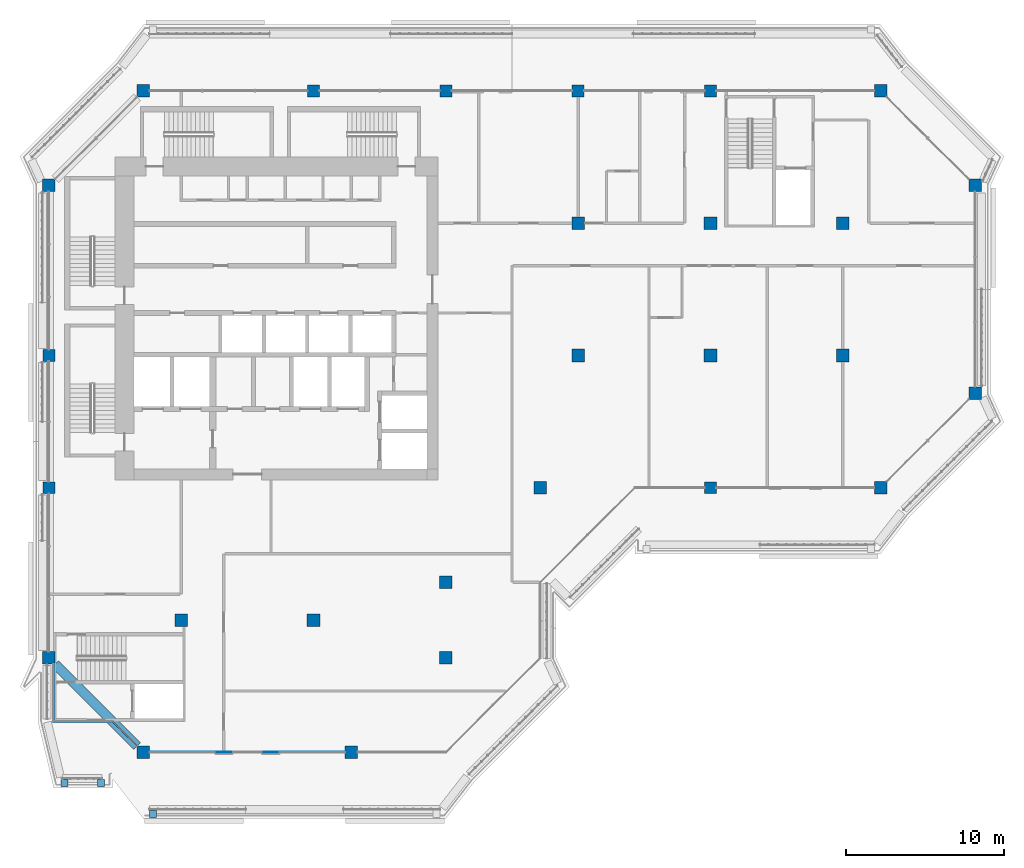
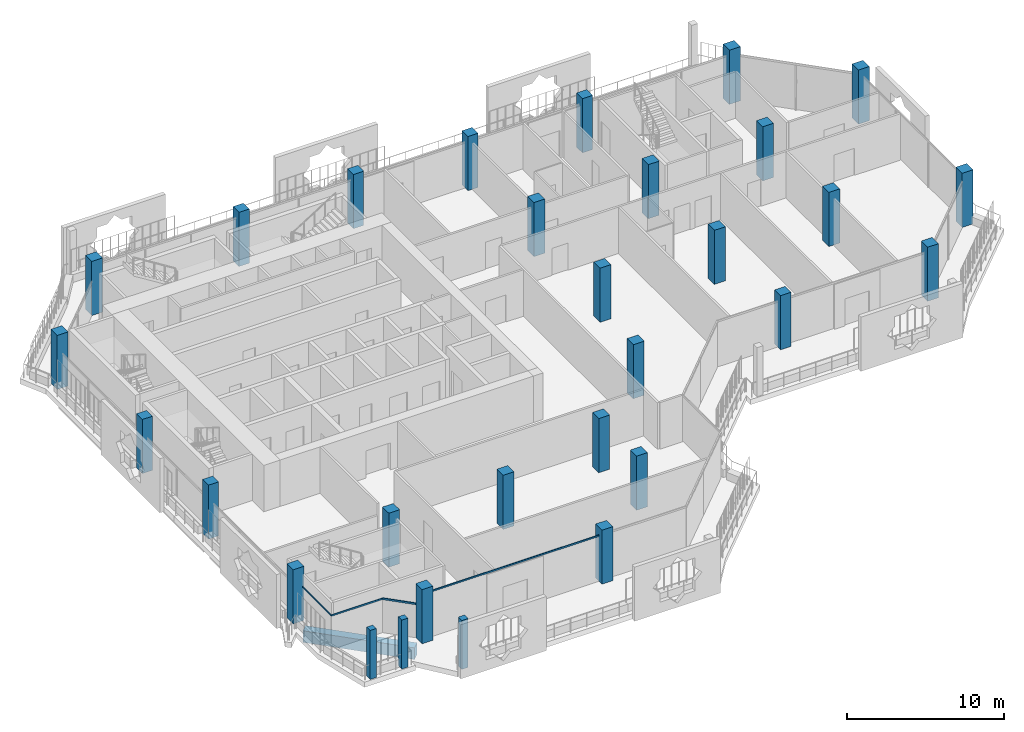
# One storey, part 1 of 21: 27 columns, 7 members, 1 beam, 5 elements without a shape of their own.
"""IFC4 building model written with IfcOpenShell, lengths in metres."""

from ifc_helpers import new_model, si_unit, direction, frame, origin, origin_2d, place, context, subcontext, project, spatial, rectangle, extrude, material, layer, layer_set, material_profile, profile_set, type_object, element, aggregate, save


model = new_model("IFC4")

# Units and contexts
model_context = context("Model", 3, precision=1e-05, world=origin(), true_north=direction((0.0, 1.0)))
body_context = subcontext(model_context, "Body", "Model", "MODEL_VIEW")
ifc_project = project(units=[si_unit("LENGTHUNIT", "METRE"), si_unit("AREAUNIT", "SQUARE_METRE"), si_unit("VOLUMEUNIT", "CUBIC_METRE"), si_unit("PLANEANGLEUNIT", "RADIAN"), si_unit("MASSUNIT", "GRAM", prefix="KILO")], contexts=[model_context])

# Site, building, storey
site_placement = place(None, origin())
site = spatial("IfcSite", under=ifc_project, at=site_placement, CompositionType="ELEMENT")
building_placement = place(site_placement, origin())
building = spatial("IfcBuilding", under=site, at=building_placement, Name="Kawkab Arch Medical Tower", CompositionType="ELEMENT")
storey_placement = place(building_placement, frame((0.0, 0.0, 323.800048828125)))
storey = spatial("IfcBuildingStorey", under=building, at=storey_placement, Name="L75", CompositionType="ELEMENT", Elevation=323.800048828125)

# Columns
ifc_material_1 = material(Name="Concrete C40/50", Category="concrete")
ifc_material_profile_1 = material_profile(ifc_material_1, rectangle(XDim=0.75, YDim=0.75, at=origin_2d()), Name="RC 750x750")
ifc_profile_set_1 = profile_set([ifc_material_profile_1], Name="Concrete C40/50")
column_type_1 = type_object("IfcColumnType", Name="RC 750x750 column C40/50", PredefinedType="COLUMN", material=ifc_profile_set_1)
for number, where, z_axis, x_axis, name in (
    (1, (16.800048828125, 0.0, 0.0), (0.0, 0.0, 1.0), (1.0, 0.0, 0.0), "Column RC 750x750"),
    (2, (25.199951171875, 0.0, 0.0), (0.0, 0.0, 1.0), (1.0, 0.0, 0.0), "Column RC 750x750"),
    (3, (33.60009765625, 0.0, 0.0), (0.0, 0.0, 1.0), (1.0, 0.0, 0.0), "Column RC 750x750"),
    (4, (42.0, 0.0, 0.0), (0.0, 0.0, 1.0), (1.0, 0.0, 0.0), "Column RC 750x750"),
    (5, (0.0, -16.800048828125, 0.0), (0.0, 0.0, 1.0), (1.0, 0.0, 0.0), "Column RC 750x750"),
    (6, (0.0, -25.199951171875, 0.0), (0.0, 0.0, 1.0), (1.0, 0.0, 0.0), "Column RC 750x750"),
    (7, (42.0, -25.199951171875, 0.0), (0.0, 0.0, 1.0), (1.0, 0.0, 0.0), "Column RC 750x750"),
):
    element("IfcColumn", number, at=place(storey_placement, frame(where, z_axis=z_axis, x_axis=x_axis)), inside=storey, type_object=column_type_1, Name=name, PredefinedType="COLUMN", context=body_context, shape_type="SweptSolid", body=[
        extrude(rectangle(XDim=0.75, YDim=0.75, at=origin_2d()), origin(), (0.0, 0.0, 1.0), 4.199951171875),
    ])
ifc_material_2 = material(Name="Concrete C40/50", Category="concrete")
ifc_material_profile_2 = material_profile(ifc_material_2, rectangle(XDim=0.800048828125, YDim=0.800048828125, at=origin_2d()), Name="RC 800x800")
ifc_profile_set_2 = profile_set([ifc_material_profile_2], Name="Concrete C40/50")
column_type_2 = type_object("IfcColumnType", Name="RC 800x800 column C40/50", PredefinedType="COLUMN", material=ifc_profile_set_2)
for number, where, z_axis, x_axis, name in (
    (8, (6.0, 0.0, 0.0), (0.0, 0.0, 1.0), (1.0, 0.0, 0.0), "Column RC 800x800"),
    (9, (52.800048828125, 0.0, 0.0), (0.0, 0.0, 1.0), (1.0, 0.0, 0.0), "Column RC 800x800"),
    (10, (0.0, -6.0, 0.0), (0.0, 0.0, 1.0), (1.0, 0.0, 0.0), "Column RC 800x800"),
    (11, (58.800048828125, -6.0, 0.0), (0.0, 0.0, 1.0), (1.0, 0.0, 0.0), "Column RC 800x800"),
    (12, (33.60009765625, -8.39990234375, 0.0), (0.0, 0.0, 1.0), (1.0, 0.0, 0.0), "Column RC 800x800"),
    (13, (42.0, -8.39990234375, 0.0), (0.0, 0.0, 1.0), (1.0, 0.0, 0.0), "Column RC 800x800"),
    (14, (50.39990234375, -8.39990234375, 0.0), (0.0, 0.0, 1.0), (1.0, 0.0, 0.0), "Column RC 800x800"),
    (15, (33.60009765625, -16.800048828125, 0.0), (0.0, 0.0, 1.0), (1.0, 0.0, 0.0), "Column RC 800x800"),
    (16, (42.0, -16.800048828125, 0.0), (0.0, 0.0, 1.0), (1.0, 0.0, 0.0), "Column RC 800x800"),
    (17, (50.39990234375, -16.800048828125, 0.0), (0.0, 0.0, 1.0), (1.0, 0.0, 0.0), "Column RC 800x800"),
    (18, (58.800048828125, -19.199951171875, 0.0), (0.0, 0.0, 1.0), (1.0, 0.0, 0.0), "Column RC 800x800"),
    (19, (31.199951171875, -25.199951171875, 0.0), (0.0, 0.0, 1.0), (1.0, 0.0, 0.0), "Column RC 800x800"),
    (20, (52.800048828125, -25.199951171875, 0.0), (0.0, 0.0, 1.0), (1.0, 0.0, 0.0), "Column RC 800x800"),
    (21, (25.199951171875, -31.199951171875, 0.0), (0.0, 0.0, 1.0), (1.0, 0.0, 0.0), "Column RC 800x800"),
    (22, (8.39990234375, -33.60009765625, 0.0), (0.0, 0.0, 1.0), (1.0, 0.0, 0.0), "Column RC 800x800"),
    (23, (16.800048828125, -33.60009765625, 0.0), (0.0, 0.0, 1.0), (1.0, 0.0, 0.0), "Column RC 800x800"),
    (24, (0.0, -36.0, 0.0), (0.0, 0.0, 1.0), (1.0, 0.0, 0.0), "Column RC 800x800"),
    (25, (25.199951171875, -36.0, 0.0), (0.0, 0.0, 1.0), (1.0, 0.0, 0.0), "Column RC 800x800"),
    (26, (6.0, -42.0, 0.0), (0.0, 0.0, 1.0), (1.0, 0.0, 0.0), "Column RC 800x800"),
    (27, (19.199951171875, -42.0, 0.0), (0.0, 0.0, 1.0), (1.0, 0.0, 0.0), "Column RC 800x800"),
):
    element("IfcColumn", number, at=place(storey_placement, frame(where, z_axis=z_axis, x_axis=x_axis)), inside=storey, type_object=column_type_2, Name=name, PredefinedType="COLUMN", context=body_context, shape_type="SweptSolid", body=[
        extrude(rectangle(XDim=0.800048828125, YDim=0.800048828125, at=origin_2d()), origin(), (0.0, 0.0, 1.0), 4.199951171875),
    ])

# Curtain wall, member
ifc_material_3 = material(Name="Bronze anodised aluminium curtain wall frame", Category="aluminium")
ifc_layer_1 = layer(ifc_material_3, 0.159912109375)
ifc_layer_set_1 = layer_set([ifc_layer_1], Name="Bronze anodised aluminium curtain wall frame")
curtain_wall_type_1 = type_object("IfcCurtainWallType", Name="CW1 ward curtain wall", PredefinedType="NOTDEFINED", material=ifc_layer_set_1)
placement = place(storey_placement, origin())
curtain_wall_1 = element("IfcCurtainWall", 28, at=placement, inside=storey, type_object=curtain_wall_type_1, Name="CW1 Ward curtain wall R04", PredefinedType="NOTDEFINED")
ifc_material_4 = material(Name="Bronze anodised aluminium curtain wall frame", Category="aluminium")
ifc_material_profile_3 = material_profile(ifc_material_4, rectangle(XDim=0.06005859375, YDim=0.1201171875, at=origin_2d()), Name="AL 60x120")
ifc_profile_set_3 = profile_set([ifc_material_profile_3], Name="Bronze anodised aluminium curtain wall frame")
member_type_1 = type_object("IfcMemberType", Name="CW1 transom 120 x 60", PredefinedType="USERDEFINED", material=ifc_profile_set_3)
member_1_placement = place(storey_placement, frame((0.300048828125, -36.39990234375, 2.639892578125), z_axis=(0.0, -1.0, 0.0), x_axis=(1.0, 0.0, 0.0)))
member_1 = element("IfcMember", 29, at=member_1_placement, type_object=member_type_1, Name="CW1 transom 1", ObjectType="TRANSOM", PredefinedType="USERDEFINED", context=body_context, shape_type="SweptSolid", body=[
    extrude(rectangle(XDim=0.06005859375, YDim=0.1201171875, at=origin_2d()), origin(), (0.0, 0.0, 1.0), 3.650146484375),
])
aggregate(curtain_wall_1, [member_1])

curtain_wall_2 = element("IfcCurtainWall", 30, at=placement, inside=storey, type_object=curtain_wall_type_1, Name="CW1 Ward curtain wall R05", PredefinedType="NOTDEFINED")
member_2_placement = place(storey_placement, frame((0.300048828125, -40.050048828125, 2.639892578125), z_axis=(1.0, 0.0, 0.0), x_axis=(0.0, 1.0, 0.0)))
member_2 = element("IfcMember", 31, at=member_2_placement, type_object=member_type_1, Name="CW1 transom 1", ObjectType="TRANSOM", PredefinedType="USERDEFINED", context=body_context, shape_type="SweptSolid", body=[
    extrude(rectangle(XDim=0.06005859375, YDim=0.1201171875, at=origin_2d()), origin(), (0.0, 0.0, 1.0), 3.75),
])
aggregate(curtain_wall_2, [member_2])

curtain_wall_3 = element("IfcCurtainWall", 32, at=placement, inside=storey, type_object=curtain_wall_type_1, Name="CW1 Ward curtain wall R07", PredefinedType="NOTDEFINED")
member_3_placement = place(storey_placement, frame((6.39990234375, -42.0, 3.5400390625), z_axis=(1.0, 0.0, 0.0), x_axis=(0.0, 1.0, 0.0)))
member_3 = element("IfcMember", 33, at=member_3_placement, type_object=member_type_1, Name="CW1 transom 1", ObjectType="TRANSOM", PredefinedType="USERDEFINED", context=body_context, shape_type="SweptSolid", body=[
    extrude(rectangle(XDim=0.06005859375, YDim=0.1201171875, at=origin_2d()), origin(), (0.0, 0.0, 1.0), 12.400146484375),
])
aggregate(curtain_wall_3, [member_3])

ifc_material_5 = material(Name="Bronze anodised aluminium curtain wall frame", Category="aluminium")
ifc_layer_2 = layer(ifc_material_5, 0.159912109375)
ifc_layer_set_2 = layer_set([ifc_layer_2], Name="Bronze anodised aluminium curtain wall frame")
curtain_wall_type_2 = type_object("IfcCurtainWallType", Name="CW2 chamfer curtain wall", PredefinedType="NOTDEFINED", material=ifc_layer_set_2)
curtain_wall_4 = element("IfcCurtainWall", 34, at=placement, inside=storey, type_object=curtain_wall_type_2, Name="CW2 Chamfer curtain wall R06", PredefinedType="NOTDEFINED")
ifc_material_6 = material(Name="Bronze anodised aluminium curtain wall frame", Category="aluminium")
ifc_material_profile_4 = material_profile(ifc_material_6, rectangle(XDim=0.06005859375, YDim=0.139892578125, at=origin_2d()), Name="AL 60x140")
ifc_profile_set_4 = profile_set([ifc_material_profile_4], Name="Bronze anodised aluminium curtain wall frame")
member_type_2 = type_object("IfcMemberType", Name="CW2 transom 140 x 60", PredefinedType="USERDEFINED", material=ifc_profile_set_4)
member_4_placement = place(storey_placement, frame((4.050048828125, -40.050048828125, 2.6298828125), z_axis=(0.707106781187, -0.707106781187, 0.0), x_axis=(0.707106781187, 0.707106781187, 0.0)))
member_4 = element("IfcMember", 35, at=member_4_placement, type_object=member_type_2, Name="CW2 transom 1", ObjectType="TRANSOM", PredefinedType="USERDEFINED", context=body_context, shape_type="SweptSolid", body=[
    extrude(rectangle(XDim=0.06005859375, YDim=0.139892578125, at=origin_2d()), origin(), (0.0, 0.0, 1.0), 2.192138671875),
])
aggregate(curtain_wall_4, [member_4])

# Curtain wall, members
ifc_material_7 = material(Name="Bronze anodised aluminium climber frame, planted", Category="aluminium")
ifc_layer_3 = layer(ifc_material_7, 0.449951171875)
ifc_layer_set_3 = layer_set([ifc_layer_3], Name="Bronze anodised aluminium climber frame, planted")
curtain_wall_type_3 = type_object("IfcCurtainWallType", Name="Planted climber frame", PredefinedType="NOTDEFINED", material=ifc_layer_set_3)
curtain_wall_5 = element("IfcCurtainWall", 36, at=placement, inside=storey, type_object=curtain_wall_type_3, Name="Planted climber frame L75", PredefinedType="NOTDEFINED")
ifc_material_8 = material(Name="Bronze anodised aluminium climber frame, planted", Category="aluminium")
ifc_material_profile_5 = material_profile(ifc_material_8, rectangle(XDim=0.449951171875, YDim=0.449951171875, at=origin_2d()), Name="Post 450x450")
ifc_profile_set_5 = profile_set([ifc_material_profile_5], Name="Bronze anodised aluminium climber frame, planted")
member_type_3 = type_object("IfcMemberType", Name="Planted climber post 450 x 450", PredefinedType="MULLION", material=ifc_profile_set_5)
member_5_placement = place(storey_placement, frame((3.300048828125, -43.949951171875, 0.0), z_axis=(0.0, 0.0, 1.0), x_axis=(1.0, 0.0, 0.0)))
member_5 = element("IfcMember", 37, at=member_5_placement, type_object=member_type_3, Name="Planted climber post L75.LOG-01-01.1", PredefinedType="MULLION", context=body_context, shape_type="SweptSolid", body=[
    extrude(rectangle(XDim=0.449951171875, YDim=0.449951171875, at=origin_2d()), origin(), (0.0, 0.0, 1.0), 3.800048828125),
])
member_6_placement = place(storey_placement, frame((0.987060546875, -43.949951171875, 0.0), z_axis=(0.0, 0.0, 1.0), x_axis=(1.0, 0.0, 0.0)))
member_6 = element("IfcMember", 38, at=member_6_placement, type_object=member_type_3, Name="Planted climber post L75.LOG-01-01.2", PredefinedType="MULLION", context=body_context, shape_type="SweptSolid", body=[
    extrude(rectangle(XDim=0.449951171875, YDim=0.449951171875, at=origin_2d()), origin(), (0.0, 0.0, 1.0), 3.800048828125),
])
member_7_placement = place(storey_placement, frame((6.596923828125, -45.89990234375, 0.0), z_axis=(0.0, 0.0, 1.0), x_axis=(1.0, 0.0, 0.0)))
member_7 = element("IfcMember", 39, at=member_7_placement, type_object=member_type_3, Name="Planted climber post L75.LOG-01-01.8", PredefinedType="MULLION", context=body_context, shape_type="SweptSolid", body=[
    extrude(rectangle(XDim=0.449951171875, YDim=0.449951171875, at=origin_2d()), origin(), (0.0, 0.0, 1.0), 3.800048828125),
])
aggregate(curtain_wall_5, [member_5, member_6, member_7])

# Beam
ifc_material_9 = material(Name="Concrete C40/50", Category="concrete")
ifc_material_profile_6 = material_profile(ifc_material_9, rectangle(XDim=0.60009765625, YDim=0.89990234375, at=origin_2d()), Name="RC 600x900")
ifc_profile_set_6 = profile_set([ifc_material_profile_6], Name="Concrete C40/50")
beam_type = type_object("IfcBeamType", Name="RC 600x900 beam C40/50", PredefinedType="BEAM", material=ifc_profile_set_6)
beam_placement = place(storey_placement, frame((5.60009765625, -41.60009765625, -1.050048828125), z_axis=(-0.707106781187, 0.707106781187, 0.0), x_axis=(-0.707106781187, -0.707106781187, 0.0)))
element("IfcBeam", 40, at=beam_placement, inside=storey, type_object=beam_type, Name="Overhang edge beam L75-02", PredefinedType="BEAM", context=body_context, shape_type="SweptSolid", body=[
    extrude(rectangle(XDim=0.60009765625, YDim=0.89990234375, at=origin_2d()), origin(), (0.0, 0.0, 1.0), 7.354248046875),
])

save(model, "model.ifc")
